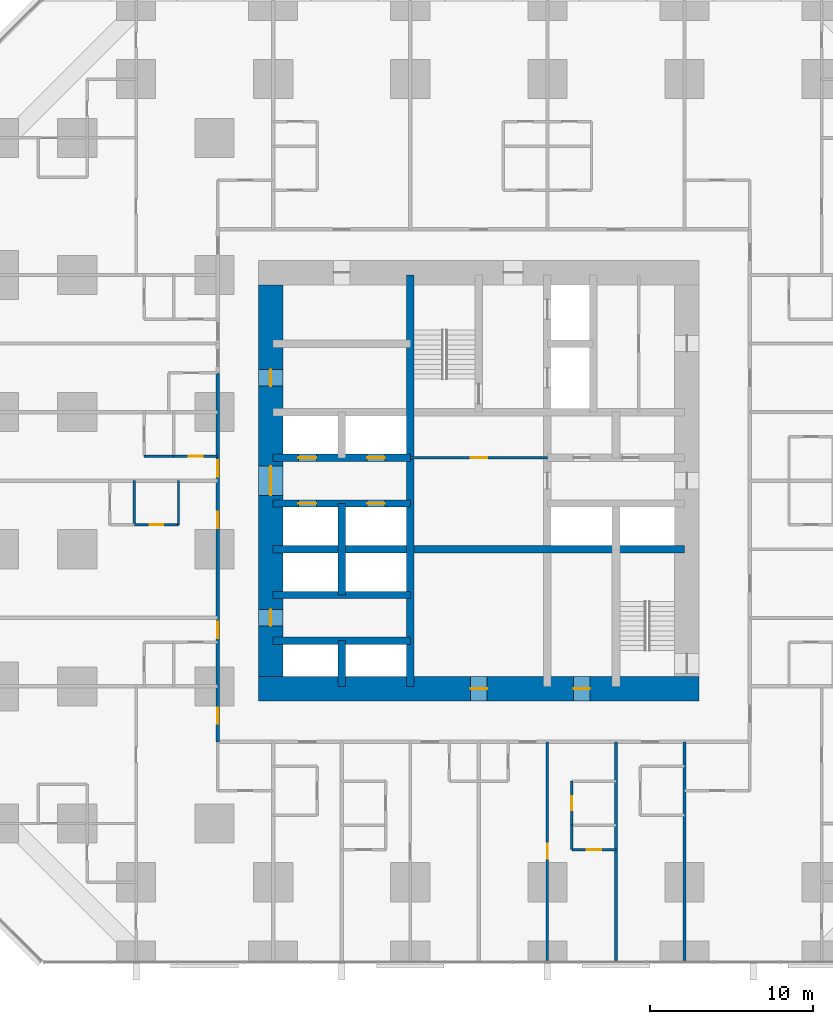
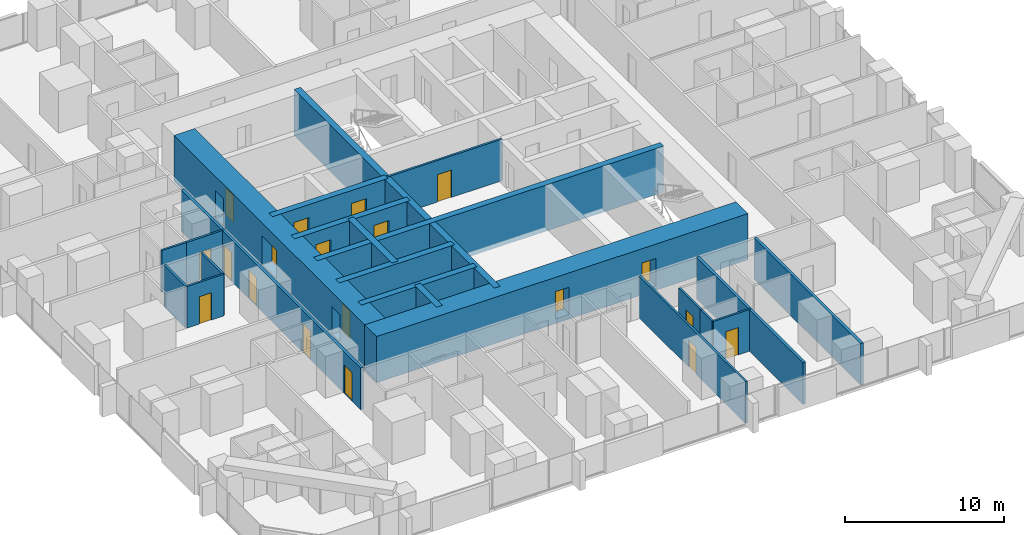
# One storey, part 11 of 16: 23 walls, 19 doors, 19 openings.
"""IFC4 building model written with IfcOpenShell, lengths in metres."""

from ifc_helpers import new_model, si_unit, direction, frame, frame_2d, origin, place, context, subcontext, project, spatial, rectangle, extrude, material, layer, layer_set, type_object, element, fill, save


model = new_model("IFC4")

# Units and contexts
model_context = context("Model", 3, precision=1e-05, world=origin(), true_north=direction((0.0, 1.0)))
body_context = subcontext(model_context, "Body", "Model", "MODEL_VIEW")
ifc_project = project(units=[si_unit("LENGTHUNIT", "METRE"), si_unit("AREAUNIT", "SQUARE_METRE"), si_unit("VOLUMEUNIT", "CUBIC_METRE"), si_unit("PLANEANGLEUNIT", "RADIAN"), si_unit("MASSUNIT", "GRAM", prefix="KILO")], contexts=[model_context])

# Site, building, storey
site_placement = place(None, origin())
site = spatial("IfcSite", under=ifc_project, at=site_placement, CompositionType="ELEMENT")
building_placement = place(site_placement, origin())
building = spatial("IfcBuilding", under=site, at=building_placement, Name="Dunama Terrace Hotel", CompositionType="ELEMENT")
storey_placement = place(building_placement, frame((0.0, 0.0, 84.60009765625)))
storey = spatial("IfcBuildingStorey", under=building, at=storey_placement, Name="L21", CompositionType="ELEMENT", Elevation=84.60009765625)

# Wall
ifc_material_1 = material(Name="Gypsum board partition", Category="masonry")
ifc_layer_1 = layer(ifc_material_1, 0.14990234375)
ifc_layer_set_1 = layer_set([ifc_layer_1], Name="Bathroom partition 150")
wall_type_1 = type_object("IfcWallType", Name="Bathroom partition 150", PredefinedType="PARTITIONING", material=ifc_layer_set_1)
wall_1_placement = place(storey_placement, frame((11.0, 26.699951171875, 0.0), z_axis=(0.0, 0.0, 1.0), x_axis=(0.0, 1.0, 0.0)))
element("IfcWall", 1, at=wall_1_placement, inside=storey, type_object=wall_type_1, Name="Bathroom partition 150 L21", PredefinedType="PARTITIONING", context=body_context, shape_type="SweptSolid", body=[
    extrude(rectangle(XDim=2.699951171875, YDim=0.14990234375, at=frame_2d((1.35009765625, 0.0))), origin(), (0.0, 0.0, 1.0), 3.199951171875),
])

# Wall, opening, door
wall_2_placement = place(storey_placement, frame((35.10009765625, 8.300048828125, 0.0), z_axis=(0.0, 0.0, 1.0), x_axis=(0.0, 1.0, 0.0)))
wall_2 = element("IfcWall", 2, at=wall_2_placement, inside=storey, type_object=wall_type_1, Name="Bathroom partition 150 L21", PredefinedType="PARTITIONING", context=body_context, shape_type="SweptSolid", body=[
    extrude(rectangle(XDim=2.699951171875, YDim=0.14990234375, at=frame_2d((1.35009765625, 0.0))), origin(), (0.0, 0.0, 1.0), 3.199951171875),
])
opening_1_placement = place(wall_2_placement, frame((0.925048828125, 0.0, 0.0)))
opening_1 = element("IfcOpeningElement", 3, at=opening_1_placement, cuts=wall_2, Name="Opening L21-019", PredefinedType="OPENING", context=body_context, shape_type="SweptSolid", body=[
    extrude(rectangle(XDim=0.85009765625, YDim=2.10009765625, at=frame_2d((0.425048828125, 1.050048828125))), frame((0.0, 0.0849609375, 0.0), z_axis=(0.0, -1.0, 0.0), x_axis=(1.0, 0.0, 0.0)), (0.0, 0.0, 1.0), 0.169921875),
])
ifc_material_2 = material(Name="Timber door with steel frame", Category="steel")
door_type_1 = type_object("IfcDoorType", Name="Bathroom door 850", OperationType="SINGLE_SWING_LEFT", PredefinedType="DOOR", material=ifc_material_2)
door_1_placement = place(opening_1_placement, frame((0.85009765625, 0.0, 0.0), z_axis=(0.0, 0.0, 1.0), x_axis=(-1.0, 0.0, 0.0)))
door_1 = element("IfcDoor", 4, at=door_1_placement, inside=storey, type_object=door_type_1, Name="Door to en-suite bathroom L21-019, type D2", OperationType="SINGLE_SWING_LEFT", OverallHeight=2.10009765625, OverallWidth=0.85009765625, PredefinedType="DOOR", context=body_context, shape_type="SweptSolid", body=[
    extrude(rectangle(XDim=0.85009765625, YDim=2.10009765625, at=frame_2d((0.425048828125, 1.050048828125))), frame((0.0, 0.025146484375, 0.0), z_axis=(0.0, -1.0, 0.0), x_axis=(1.0, 0.0, 0.0)), (0.0, 0.0, 1.0), 0.050048828125),
])
fill(opening_1, door_1)

wall_3_placement = place(storey_placement, frame((8.300048828125, 26.699951171875, 0.0), z_axis=(0.0, 0.0, 1.0), x_axis=(1.0, 0.0, 0.0)))
wall_3 = element("IfcWall", 5, at=wall_3_placement, inside=storey, type_object=wall_type_1, Name="Bathroom partition 150 L21", PredefinedType="PARTITIONING", context=body_context, shape_type="SweptSolid", body=[
    extrude(rectangle(XDim=2.699951171875, YDim=0.14990234375, at=frame_2d((1.35009765625, 0.0))), origin(), (0.0, 0.0, 1.0), 3.199951171875),
])
opening_2_placement = place(wall_3_placement, frame((0.925048828125, 0.0, 0.0)))
opening_2 = element("IfcOpeningElement", 6, at=opening_2_placement, cuts=wall_3, Name="Opening L21-050", PredefinedType="OPENING", context=body_context, shape_type="SweptSolid", body=[
    extrude(rectangle(XDim=0.85009765625, YDim=2.10009765625, at=frame_2d((0.425048828125, 1.050048828125))), frame((0.0, 0.0849609375, 0.0), z_axis=(0.0, -1.0, 0.0), x_axis=(1.0, 0.0, 0.0)), (0.0, 0.0, 1.0), 0.169921875),
])
door_2_placement = place(opening_2_placement, origin())
door_2 = element("IfcDoor", 7, at=door_2_placement, inside=storey, type_object=door_type_1, Name="Door to en-suite bathroom L21-050, type D2", OperationType="SINGLE_SWING_RIGHT", OverallHeight=2.10009765625, OverallWidth=0.85009765625, PredefinedType="DOOR", context=body_context, shape_type="SweptSolid", body=[
    extrude(rectangle(XDim=0.85009765625, YDim=2.10009765625, at=frame_2d((0.425048828125, 1.050048828125))), frame((0.0, 0.02490234375, 0.0), z_axis=(0.0, -1.0, 0.0), x_axis=(1.0, 0.0, 0.0)), (0.0, 0.0, 1.0), 0.050048828125),
])
fill(opening_2, door_2)

wall_4_placement = place(storey_placement, frame((10.699951171875, 30.89990234375, 0.0), z_axis=(0.0, 0.0, 1.0), x_axis=(1.0, 0.0, 0.0)))
wall_4 = element("IfcWall", 8, at=wall_4_placement, inside=storey, type_object=wall_type_1, Name="Bathroom partition 150 L21", PredefinedType="PARTITIONING", context=body_context, shape_type="SweptSolid", body=[
    extrude(rectangle(XDim=2.699951171875, YDim=0.14990234375, at=frame_2d((1.35009765625, 0.0))), origin(), (0.0, 0.0, 1.0), 3.199951171875),
])
opening_3_placement = place(wall_4_placement, frame((0.925048828125, 0.0, 0.0)))
opening_3 = element("IfcOpeningElement", 9, at=opening_3_placement, cuts=wall_4, Name="Opening L21-053", PredefinedType="OPENING", context=body_context, shape_type="SweptSolid", body=[
    extrude(rectangle(XDim=0.85009765625, YDim=2.10009765625, at=frame_2d((0.425048828125, 1.050048828125))), frame((0.0, 0.0849609375, 0.0), z_axis=(0.0, -1.0, 0.0), x_axis=(1.0, 0.0, 0.0)), (0.0, 0.0, 1.0), 0.169921875),
])
door_3_placement = place(opening_3_placement, origin())
door_3 = element("IfcDoor", 10, at=door_3_placement, inside=storey, type_object=door_type_1, Name="Door to en-suite bathroom L21-053, type D2", OperationType="SINGLE_SWING_RIGHT", OverallHeight=2.10009765625, OverallWidth=0.85009765625, PredefinedType="DOOR", context=body_context, shape_type="SweptSolid", body=[
    extrude(rectangle(XDim=0.85009765625, YDim=2.10009765625, at=frame_2d((0.425048828125, 1.050048828125))), frame((0.0, 0.02490234375, 0.0), z_axis=(0.0, -1.0, 0.0), x_axis=(1.0, 0.0, 0.0)), (0.0, 0.0, 1.0), 0.050048828125),
])
fill(opening_3, door_3)

# Walls
ifc_material_3 = material(Name="Concrete C50/60", Category="concrete")
ifc_layer_2 = layer(ifc_material_3, 0.449951171875)
ifc_layer_set_2 = layer_set([ifc_layer_2], Name="Core inner wall 450")
wall_type_2 = type_object("IfcWallType", Name="Core inner wall 450", PredefinedType="SHEAR", material=ifc_layer_set_2)
wall_5_placement = place(storey_placement, frame((21.0, 16.800048828125, -0.35009765625), z_axis=(0.0, 0.0, 1.0), x_axis=(0.0, 1.0, 0.0)))
element("IfcWall", 11, at=wall_5_placement, inside=storey, type_object=wall_type_2, Name="Core inner wall 450 L21", PredefinedType="SHEAR", context=body_context, shape_type="SweptSolid", body=[
    extrude(rectangle(XDim=2.800048828125, YDim=0.449951171875, at=frame_2d((1.39990234375, 0.0))), origin(), (0.0, 0.0, 1.0), 3.550048828125),
])
wall_6_placement = place(storey_placement, frame((21.0, 22.39990234375, -0.35009765625), z_axis=(0.0, 0.0, 1.0), x_axis=(0.0, 1.0, 0.0)))
element("IfcWall", 12, at=wall_6_placement, inside=storey, type_object=wall_type_2, Name="Core inner wall 450 L21", PredefinedType="SHEAR", context=body_context, shape_type="SweptSolid", body=[
    extrude(rectangle(XDim=5.60009765625, YDim=0.449951171875, at=frame_2d((2.800048828125, 0.0))), origin(), (0.0, 0.0, 1.0), 3.550048828125),
])
wall_7_placement = place(storey_placement, frame((25.199951171875, 16.800048828125, -0.35009765625), z_axis=(0.0, 0.0, 1.0), x_axis=(0.0, 1.0, 0.0)))
element("IfcWall", 13, at=wall_7_placement, inside=storey, type_object=wall_type_2, Name="Core inner wall 450 L21", PredefinedType="SHEAR", context=body_context, shape_type="SweptSolid", body=[
    extrude(rectangle(XDim=25.199951171875, YDim=0.449951171875, at=frame_2d((12.60009765625, 0.0))), origin(), (0.0, 0.0, 1.0), 3.550048828125),
])
for number, where, z_axis, x_axis, name in (
    (14, (16.800048828125, 19.60009765625, -0.35009765625), (0.0, 0.0, 1.0), (1.0, 0.0, 0.0), "Core inner wall 450 L21"),
    (15, (16.800048828125, 22.39990234375, -0.35009765625), (0.0, 0.0, 1.0), (1.0, 0.0, 0.0), "Core inner wall 450 L21"),
):
    element("IfcWall", number, at=place(storey_placement, frame(where, z_axis=z_axis, x_axis=x_axis)), inside=storey, type_object=wall_type_2, Name=name, PredefinedType="SHEAR", context=body_context, shape_type="SweptSolid", body=[
        extrude(rectangle(XDim=8.39990234375, YDim=0.449951171875, at=frame_2d((4.199951171875, 0.0))), origin(), (0.0, 0.0, 1.0), 3.550048828125),
    ])
wall_8_placement = place(storey_placement, frame((16.800048828125, 25.199951171875, -0.35009765625), z_axis=(0.0, 0.0, 1.0), x_axis=(1.0, 0.0, 0.0)))
element("IfcWall", 16, at=wall_8_placement, inside=storey, type_object=wall_type_2, Name="Core inner wall 450 L21", PredefinedType="SHEAR", context=body_context, shape_type="SweptSolid", body=[
    extrude(rectangle(XDim=25.199951171875, YDim=0.449951171875, at=frame_2d((12.60009765625, 0.0))), origin(), (0.0, 0.0, 1.0), 3.550048828125),
])

# Wall, openings, doors
wall_9_placement = place(storey_placement, frame((16.800048828125, 28.0, -0.35009765625), z_axis=(0.0, 0.0, 1.0), x_axis=(1.0, 0.0, 0.0)))
wall_9 = element("IfcWall", 17, at=wall_9_placement, inside=storey, type_object=wall_type_2, Name="Core inner wall 450 L21", PredefinedType="SHEAR", context=body_context, shape_type="SweptSolid", body=[
    extrude(rectangle(XDim=8.39990234375, YDim=0.449951171875, at=frame_2d((4.199951171875, 0.0))), origin(), (0.0, 0.0, 1.0), 3.550048828125),
])
opening_4_placement = place(wall_9_placement, frame((1.550048828125, 0.0, 0.35009765625)))
opening_4 = element("IfcOpeningElement", 18, at=opening_4_placement, cuts=wall_9, Name="Opening L21-003", PredefinedType="OPENING", context=body_context, shape_type="SweptSolid", body=[
    extrude(rectangle(XDim=1.10009765625, YDim=2.199951171875, at=frame_2d((0.550048828125, 1.10009765625))), frame((0.0, 0.23486328125, 0.0), z_axis=(0.0, -1.0, 0.0), x_axis=(1.0, 0.0, 0.0)), (0.0, 0.0, 1.0), 0.469970703125),
])
opening_5_placement = place(wall_9_placement, frame((5.75, 0.0, 0.35009765625)))
opening_5 = element("IfcOpeningElement", 19, at=opening_5_placement, cuts=wall_9, Name="Opening L21-004", PredefinedType="OPENING", context=body_context, shape_type="SweptSolid", body=[
    extrude(rectangle(XDim=1.10009765625, YDim=2.199951171875, at=frame_2d((0.550048828125, 1.10009765625))), frame((0.0, 0.23486328125, 0.0), z_axis=(0.0, -1.0, 0.0), x_axis=(1.0, 0.0, 0.0)), (0.0, 0.0, 1.0), 0.469970703125),
])
ifc_material_4 = material(Name="Stainless steel lift door", Category="steel")
door_type_2 = type_object("IfcDoorType", Name="Lift landing door 1100", OperationType="DOUBLE_DOOR_SLIDING", PredefinedType="DOOR", material=ifc_material_4)
door_4_placement = place(opening_4_placement, origin())
door_4 = element("IfcDoor", 20, at=door_4_placement, inside=storey, type_object=door_type_2, Name="Landing door PA1 L21-003, type LD1", OperationType="DOUBLE_DOOR_SLIDING", OverallHeight=2.199951171875, OverallWidth=1.10009765625, PredefinedType="DOOR", context=body_context, shape_type="SweptSolid", body=[
    extrude(rectangle(XDim=1.10009765625, YDim=2.199951171875, at=frame_2d((0.550048828125, 1.10009765625))), frame((0.0, 0.02490234375, 0.0), z_axis=(0.0, -1.0, 0.0), x_axis=(1.0, 0.0, 0.0)), (0.0, 0.0, 1.0), 0.050048828125),
])
fill(opening_4, door_4)
door_5_placement = place(opening_5_placement, origin())
door_5 = element("IfcDoor", 21, at=door_5_placement, inside=storey, type_object=door_type_2, Name="Landing door PA2 L21-004, type LD1", OperationType="DOUBLE_DOOR_SLIDING", OverallHeight=2.199951171875, OverallWidth=1.10009765625, PredefinedType="DOOR", context=body_context, shape_type="SweptSolid", body=[
    extrude(rectangle(XDim=1.10009765625, YDim=2.199951171875, at=frame_2d((0.550048828125, 1.10009765625))), frame((0.0, 0.02490234375, 0.0), z_axis=(0.0, -1.0, 0.0), x_axis=(1.0, 0.0, 0.0)), (0.0, 0.0, 1.0), 0.050048828125),
])
fill(opening_5, door_5)

wall_10_placement = place(storey_placement, frame((16.800048828125, 30.800048828125, -0.35009765625), z_axis=(0.0, 0.0, 1.0), x_axis=(1.0, 0.0, 0.0)))
wall_10 = element("IfcWall", 22, at=wall_10_placement, inside=storey, type_object=wall_type_2, Name="Core inner wall 450 L21", PredefinedType="SHEAR", context=body_context, shape_type="SweptSolid", body=[
    extrude(rectangle(XDim=8.39990234375, YDim=0.449951171875, at=frame_2d((4.199951171875, 0.0))), origin(), (0.0, 0.0, 1.0), 3.550048828125),
])
opening_6_placement = place(wall_10_placement, frame((1.550048828125, 0.0, 0.35009765625)))
opening_6 = element("IfcOpeningElement", 23, at=opening_6_placement, cuts=wall_10, Name="Opening L21-005", PredefinedType="OPENING", context=body_context, shape_type="SweptSolid", body=[
    extrude(rectangle(XDim=1.10009765625, YDim=2.199951171875, at=frame_2d((0.550048828125, 1.10009765625))), frame((0.0, 0.23486328125, 0.0), z_axis=(0.0, -1.0, 0.0), x_axis=(1.0, 0.0, 0.0)), (0.0, 0.0, 1.0), 0.469970703125),
])
opening_7_placement = place(wall_10_placement, frame((5.75, 0.0, 0.35009765625)))
opening_7 = element("IfcOpeningElement", 24, at=opening_7_placement, cuts=wall_10, Name="Opening L21-006", PredefinedType="OPENING", context=body_context, shape_type="SweptSolid", body=[
    extrude(rectangle(XDim=1.10009765625, YDim=2.199951171875, at=frame_2d((0.550048828125, 1.10009765625))), frame((0.0, 0.23486328125, 0.0), z_axis=(0.0, -1.0, 0.0), x_axis=(1.0, 0.0, 0.0)), (0.0, 0.0, 1.0), 0.469970703125),
])
door_6_placement = place(opening_6_placement, origin())
door_6 = element("IfcDoor", 25, at=door_6_placement, inside=storey, type_object=door_type_2, Name="Landing door PA3 L21-005, type LD1", OperationType="DOUBLE_DOOR_SLIDING", OverallHeight=2.199951171875, OverallWidth=1.10009765625, PredefinedType="DOOR", context=body_context, shape_type="SweptSolid", body=[
    extrude(rectangle(XDim=1.10009765625, YDim=2.199951171875, at=frame_2d((0.550048828125, 1.10009765625))), frame((0.0, 0.02490234375, 0.0), z_axis=(0.0, -1.0, 0.0), x_axis=(1.0, 0.0, 0.0)), (0.0, 0.0, 1.0), 0.050048828125),
])
fill(opening_6, door_6)
door_7_placement = place(opening_7_placement, origin())
door_7 = element("IfcDoor", 26, at=door_7_placement, inside=storey, type_object=door_type_2, Name="Landing door PA4 L21-006, type LD1", OperationType="DOUBLE_DOOR_SLIDING", OverallHeight=2.199951171875, OverallWidth=1.10009765625, PredefinedType="DOOR", context=body_context, shape_type="SweptSolid", body=[
    extrude(rectangle(XDim=1.10009765625, YDim=2.199951171875, at=frame_2d((0.550048828125, 1.10009765625))), frame((0.0, 0.02490234375, 0.0), z_axis=(0.0, -1.0, 0.0), x_axis=(1.0, 0.0, 0.0)), (0.0, 0.0, 1.0), 0.050048828125),
])
fill(opening_7, door_7)

ifc_material_5 = material(Name="Concrete C60/75", Category="concrete")
ifc_layer_3 = layer(ifc_material_5, 1.5)
ifc_layer_set_3 = layer_set([ifc_layer_3], Name="Core wall 1500")
wall_type_3 = type_object("IfcWallType", Name="Core wall 1500", PredefinedType="SHEAR", material=ifc_layer_set_3)
wall_11_placement = place(storey_placement, frame((15.89990234375, 16.64990234375, -0.35009765625), z_axis=(0.0, 0.0, 1.0), x_axis=(1.0, 0.0, 0.0)))
wall_11 = element("IfcWall", 27, at=wall_11_placement, inside=storey, type_object=wall_type_3, Name="Core wall south L21", PredefinedType="SHEAR", context=body_context, shape_type="SweptSolid", body=[
    extrude(rectangle(XDim=27.0, YDim=1.5, at=frame_2d((13.5, 0.0))), origin(), (0.0, 0.0, 1.0), 3.550048828125),
])
opening_8_placement = place(wall_11_placement, frame((13.0, 0.0, 0.35009765625)))
opening_8 = element("IfcOpeningElement", 28, at=opening_8_placement, cuts=wall_11, Name="Opening L21-096", PredefinedType="OPENING", context=body_context, shape_type="SweptSolid", body=[
    extrude(rectangle(XDim=1.0, YDim=2.10009765625, at=frame_2d((0.5, 1.050048828125))), frame((0.0, 0.760009765625, 0.0), z_axis=(0.0, -1.0, 0.0), x_axis=(1.0, 0.0, 0.0)), (0.0, 0.0, 1.0), 1.52001953125),
])
opening_9_placement = place(wall_11_placement, frame((19.300048828125, 0.0, 0.35009765625)))
opening_9 = element("IfcOpeningElement", 29, at=opening_9_placement, cuts=wall_11, Name="Opening L21-097", PredefinedType="OPENING", context=body_context, shape_type="SweptSolid", body=[
    extrude(rectangle(XDim=1.0, YDim=2.10009765625, at=frame_2d((0.5, 1.050048828125))), frame((0.0, 0.760009765625, 0.0), z_axis=(0.0, -1.0, 0.0), x_axis=(1.0, 0.0, 0.0)), (0.0, 0.0, 1.0), 1.52001953125),
])
ifc_material_6 = material(Name="Timber door with steel frame", Category="steel")
door_type_3 = type_object("IfcDoorType", Name="Service door 1000", OperationType="SINGLE_SWING_LEFT", PredefinedType="DOOR", material=ifc_material_6)
door_8_placement = place(opening_8_placement, origin())
door_8 = element("IfcDoor", 30, at=door_8_placement, inside=storey, type_object=door_type_3, Name="Door to corridor air handling room L21-096, type D7", OperationType="SINGLE_SWING_LEFT", OverallHeight=2.10009765625, OverallWidth=1.0, PredefinedType="DOOR", context=body_context, shape_type="SweptSolid", body=[
    extrude(rectangle(XDim=1.0, YDim=2.10009765625, at=frame_2d((0.5, 1.050048828125))), frame((0.0, 0.02490234375, 0.0), z_axis=(0.0, -1.0, 0.0), x_axis=(1.0, 0.0, 0.0)), (0.0, 0.0, 1.0), 0.050048828125),
])
fill(opening_8, door_8)
door_9_placement = place(opening_9_placement, origin())
door_9 = element("IfcDoor", 31, at=door_9_placement, inside=storey, type_object=door_type_3, Name="Door to water riser room L21-097, type D7", OperationType="SINGLE_SWING_RIGHT", OverallHeight=2.10009765625, OverallWidth=1.0, PredefinedType="DOOR", context=body_context, shape_type="SweptSolid", body=[
    extrude(rectangle(XDim=1.0, YDim=2.10009765625, at=frame_2d((0.5, 1.050048828125))), frame((0.0, 0.02490234375, 0.0), z_axis=(0.0, -1.0, 0.0), x_axis=(1.0, 0.0, 0.0)), (0.0, 0.0, 1.0), 0.050048828125),
])
fill(opening_9, door_9)

wall_12_placement = place(storey_placement, frame((16.64990234375, 41.39990234375, -0.35009765625), z_axis=(0.0, 0.0, 1.0), x_axis=(0.0, -1.0, 0.0)))
wall_12 = element("IfcWall", 32, at=wall_12_placement, inside=storey, type_object=wall_type_3, Name="Core wall west L21", PredefinedType="SHEAR", context=body_context, shape_type="SweptSolid", body=[
    extrude(rectangle(XDim=24.0, YDim=1.5, at=frame_2d((12.0, 0.0))), origin(), (0.0, 0.0, 1.0), 3.550048828125),
])
opening_10_placement = place(wall_12_placement, frame((11.10009765625, 0.0, 0.35009765625)))
opening_10 = element("IfcOpeningElement", 33, at=opening_10_placement, cuts=wall_12, Name="Opening L21-084", PredefinedType="OPENING", context=body_context, shape_type="SweptSolid", body=[
    extrude(rectangle(XDim=1.800048828125, YDim=2.199951171875, at=frame_2d((0.89990234375, 1.10009765625))), frame((0.0, 0.760009765625, 0.0), z_axis=(0.0, -1.0, 0.0), x_axis=(1.0, 0.0, 0.0)), (0.0, 0.0, 1.0), 1.52001953125),
])
opening_11_placement = place(wall_12_placement, frame((19.89990234375, 0.0, 0.35009765625)))
opening_11 = element("IfcOpeningElement", 34, at=opening_11_placement, cuts=wall_12, Name="Opening L21-085", PredefinedType="OPENING", context=body_context, shape_type="SweptSolid", body=[
    extrude(rectangle(XDim=1.0, YDim=2.10009765625, at=frame_2d((0.5, 1.050048828125))), frame((0.0, 0.760009765625, 0.0), z_axis=(0.0, -1.0, 0.0), x_axis=(1.0, 0.0, 0.0)), (0.0, 0.0, 1.0), 1.52001953125),
])
opening_12_placement = place(wall_12_placement, frame((5.199951171875, 0.0, 0.35009765625)))
opening_12 = element("IfcOpeningElement", 35, at=opening_12_placement, cuts=wall_12, Name="Opening L21-086", PredefinedType="OPENING", context=body_context, shape_type="SweptSolid", body=[
    extrude(rectangle(XDim=1.0, YDim=2.10009765625, at=frame_2d((0.5, 1.050048828125))), frame((0.0, 0.760009765625, 0.0), z_axis=(0.0, -1.0, 0.0), x_axis=(1.0, 0.0, 0.0)), (0.0, 0.0, 1.0), 1.52001953125),
])
ifc_material_7 = material(Name="Timber door with steel frame", Category="steel")
door_type_4 = type_object("IfcDoorType", Name="Lift lobby double door 1800", OperationType="DOUBLE_DOOR_DOUBLE_SWING", PredefinedType="DOOR", material=ifc_material_7)
door_10_placement = place(opening_10_placement, origin())
door_10 = element("IfcDoor", 36, at=door_10_placement, inside=storey, type_object=door_type_4, Name="Door to lift lobby L21-084, type D3", OperationType="DOUBLE_DOOR_DOUBLE_SWING", OverallHeight=2.199951171875, OverallWidth=1.800048828125, PredefinedType="DOOR", context=body_context, shape_type="SweptSolid", body=[
    extrude(rectangle(XDim=1.800048828125, YDim=2.199951171875, at=frame_2d((0.89990234375, 1.10009765625))), frame((0.0, 0.02490234375, 0.0), z_axis=(0.0, -1.0, 0.0), x_axis=(1.0, 0.0, 0.0)), (0.0, 0.0, 1.0), 0.050048828125),
])
fill(opening_10, door_10)
door_11_placement = place(opening_11_placement, origin())
door_11 = element("IfcDoor", 37, at=door_11_placement, inside=storey, type_object=door_type_3, Name="Door to service lobby L21-085, type D7", OperationType="SINGLE_SWING_LEFT", OverallHeight=2.10009765625, OverallWidth=1.0, PredefinedType="DOOR", context=body_context, shape_type="SweptSolid", body=[
    extrude(rectangle(XDim=1.0, YDim=2.10009765625, at=frame_2d((0.5, 1.050048828125))), frame((0.0, 0.02490234375, 0.0), z_axis=(0.0, -1.0, 0.0), x_axis=(1.0, 0.0, 0.0)), (0.0, 0.0, 1.0), 0.050048828125),
])
fill(opening_11, door_11)
door_12_placement = place(opening_12_placement, origin())
door_12 = element("IfcDoor", 38, at=door_12_placement, inside=storey, type_object=door_type_3, Name="Door to electrical room L21-086, type D7", OperationType="SINGLE_SWING_RIGHT", OverallHeight=2.10009765625, OverallWidth=1.0, PredefinedType="DOOR", context=body_context, shape_type="SweptSolid", body=[
    extrude(rectangle(XDim=1.0, YDim=2.10009765625, at=frame_2d((0.5, 1.050048828125))), frame((0.0, 0.02490234375, 0.0), z_axis=(0.0, -1.0, 0.0), x_axis=(1.0, 0.0, 0.0)), (0.0, 0.0, 1.0), 0.050048828125),
])
fill(opening_12, door_12)

ifc_material_8 = material(Name="Concrete blockwork", Category="masonry")
ifc_layer_4 = layer(ifc_material_8, 0.199951171875)
ifc_layer_set_4 = layer_set([ifc_layer_4], Name="Corridor partition 200")
wall_type_4 = type_object("IfcWallType", Name="Corridor partition 200", PredefinedType="PARTITIONING", material=ifc_layer_set_4)
wall_13_placement = place(storey_placement, frame((13.39990234375, 13.39990234375, 0.0), z_axis=(0.0, 0.0, 1.0), x_axis=(0.0, 1.0, 0.0)))
wall_13 = element("IfcWall", 39, at=wall_13_placement, inside=storey, type_object=wall_type_4, Name="Corridor partition 200 L21", PredefinedType="PARTITIONING", context=body_context, shape_type="SweptSolid", body=[
    extrude(rectangle(XDim=22.60009765625, YDim=0.199951171875, at=frame_2d((11.300048828125, 0.0))), origin(), (0.0, 0.0, 1.0), 3.199951171875),
])
opening_13_placement = place(wall_13_placement, frame((6.35009765625, 0.0, 0.0)))
opening_13 = element("IfcOpeningElement", 40, at=opening_13_placement, cuts=wall_13, Name="Opening L21-046", PredefinedType="OPENING", context=body_context, shape_type="SweptSolid", body=[
    extrude(rectangle(XDim=1.0, YDim=2.199951171875, at=frame_2d((0.5, 1.10009765625))), frame((0.0, 0.10986328125, 0.0), z_axis=(0.0, -1.0, 0.0), x_axis=(1.0, 0.0, 0.0)), (0.0, 0.0, 1.0), 0.219970703125),
])
opening_14_placement = place(wall_13_placement, frame((13.10009765625, 0.0, 0.0)))
opening_14 = element("IfcOpeningElement", 41, at=opening_14_placement, cuts=wall_13, Name="Opening L21-049", PredefinedType="OPENING", context=body_context, shape_type="SweptSolid", body=[
    extrude(rectangle(XDim=1.0, YDim=2.199951171875, at=frame_2d((0.5, 1.10009765625))), frame((0.0, 0.10986328125, 0.0), z_axis=(0.0, -1.0, 0.0), x_axis=(1.0, 0.0, 0.0)), (0.0, 0.0, 1.0), 0.219970703125),
])
opening_15_placement = place(wall_13_placement, frame((16.25, 0.0, 0.0)))
opening_15 = element("IfcOpeningElement", 42, at=opening_15_placement, cuts=wall_13, Name="Opening L21-052", PredefinedType="OPENING", context=body_context, shape_type="SweptSolid", body=[
    extrude(rectangle(XDim=1.0, YDim=2.199951171875, at=frame_2d((0.5, 1.10009765625))), frame((0.0, 0.10986328125, 0.0), z_axis=(0.0, -1.0, 0.0), x_axis=(1.0, 0.0, 0.0)), (0.0, 0.0, 1.0), 0.219970703125),
])
opening_16_placement = place(wall_13_placement, frame((1.10009765625, 0.0, 0.0)))
opening_16 = element("IfcOpeningElement", 43, at=opening_16_placement, cuts=wall_13, Name="Opening L21-060", PredefinedType="OPENING", context=body_context, shape_type="SweptSolid", body=[
    extrude(rectangle(XDim=1.0, YDim=2.199951171875, at=frame_2d((0.5, 1.10009765625))), frame((0.0, 0.10986328125, 0.0), z_axis=(0.0, -1.0, 0.0), x_axis=(1.0, 0.0, 0.0)), (0.0, 0.0, 1.0), 0.219970703125),
])
ifc_material_9 = material(Name="Timber door with steel frame", Category="steel")
door_type_5 = type_object("IfcDoorType", Name="Guest room door 1000", OperationType="SINGLE_SWING_LEFT", PredefinedType="DOOR", material=ifc_material_9)
door_13_placement = place(opening_13_placement, origin())
door_13 = element("IfcDoor", 44, at=door_13_placement, inside=storey, type_object=door_type_5, Name="Door to deluxe room L21-046, type D1", OperationType="SINGLE_SWING_RIGHT", OverallHeight=2.199951171875, OverallWidth=1.0, PredefinedType="DOOR", context=body_context, shape_type="SweptSolid", body=[
    extrude(rectangle(XDim=1.0, YDim=2.199951171875, at=frame_2d((0.5, 1.10009765625))), frame((0.0, 0.02490234375, 0.0), z_axis=(0.0, -1.0, 0.0), x_axis=(1.0, 0.0, 0.0)), (0.0, 0.0, 1.0), 0.050048828125),
])
fill(opening_13, door_13)
door_14_placement = place(opening_14_placement, origin())
door_14 = element("IfcDoor", 45, at=door_14_placement, inside=storey, type_object=door_type_5, Name="Door to junior suite L21-049, type D1", OperationType="SINGLE_SWING_LEFT", OverallHeight=2.199951171875, OverallWidth=1.0, PredefinedType="DOOR", context=body_context, shape_type="SweptSolid", body=[
    extrude(rectangle(XDim=1.0, YDim=2.199951171875, at=frame_2d((0.5, 1.10009765625))), frame((0.0, 0.02490234375, 0.0), z_axis=(0.0, -1.0, 0.0), x_axis=(1.0, 0.0, 0.0)), (0.0, 0.0, 1.0), 0.050048828125),
])
fill(opening_14, door_14)
door_15_placement = place(opening_15_placement, origin())
door_15 = element("IfcDoor", 46, at=door_15_placement, inside=storey, type_object=door_type_5, Name="Door to deluxe room L21-052, type D1", OperationType="SINGLE_SWING_LEFT", OverallHeight=2.199951171875, OverallWidth=1.0, PredefinedType="DOOR", context=body_context, shape_type="SweptSolid", body=[
    extrude(rectangle(XDim=1.0, YDim=2.199951171875, at=frame_2d((0.5, 1.10009765625))), frame((0.0, 0.02490234375, 0.0), z_axis=(0.0, -1.0, 0.0), x_axis=(1.0, 0.0, 0.0)), (0.0, 0.0, 1.0), 0.050048828125),
])
fill(opening_15, door_15)
door_16_placement = place(opening_16_placement, origin())
door_16 = element("IfcDoor", 47, at=door_16_placement, inside=storey, type_object=door_type_5, Name="Door to corner suite living room L21-060, type D1", OperationType="SINGLE_SWING_RIGHT", OverallHeight=2.199951171875, OverallWidth=1.0, PredefinedType="DOOR", context=body_context, shape_type="SweptSolid", body=[
    extrude(rectangle(XDim=1.0, YDim=2.199951171875, at=frame_2d((0.5, 1.10009765625))), frame((0.0, 0.02490234375, 0.0), z_axis=(0.0, -1.0, 0.0), x_axis=(1.0, 0.0, 0.0)), (0.0, 0.0, 1.0), 0.050048828125),
])
fill(opening_16, door_16)

# Walls
ifc_material_10 = material(Name="Concrete blockwork", Category="masonry")
ifc_layer_5 = layer(ifc_material_10, 0.199951171875)
ifc_layer_set_5 = layer_set([ifc_layer_5], Name="Party wall 200")
wall_type_5 = type_object("IfcWallType", Name="Party wall 200", PredefinedType="PARTITIONING", material=ifc_layer_set_5)
for number, where, z_axis, x_axis, name in (
    (48, (37.800048828125, -0.008056640625, 0.0), (0.0, 0.0, 1.0), (0.0, 1.0, 0.0), "Party wall 200 L21"),
    (49, (42.0, -0.008056640625, 0.0), (0.0, 0.0, 1.0), (0.0, 1.0, 0.0), "Party wall 200 L21"),
):
    element("IfcWall", number, at=place(storey_placement, frame(where, z_axis=z_axis, x_axis=x_axis)), inside=storey, type_object=wall_type_5, Name=name, PredefinedType="PARTITIONING", context=body_context, shape_type="SweptSolid", body=[
        extrude(rectangle(XDim=13.407958984375, YDim=0.199951171875, at=frame_2d((6.7041015625, 0.0))), origin(), (0.0, 0.0, 1.0), 3.199951171875),
    ])
ifc_material_11 = material(Name="Gypsum board partition", Category="masonry")
ifc_layer_6 = layer(ifc_material_11, 0.14990234375)
ifc_layer_set_6 = layer_set([ifc_layer_6], Name="Room partition 150")
wall_type_6 = type_object("IfcWallType", Name="Room partition 150", PredefinedType="PARTITIONING", material=ifc_layer_set_6)
wall_14_placement = place(storey_placement, frame((8.300048828125, 26.699951171875, 0.0), z_axis=(0.0, 0.0, 1.0), x_axis=(0.0, 1.0, 0.0)))
element("IfcWall", 50, at=wall_14_placement, inside=storey, type_object=wall_type_6, Name="Room partition 150 L21", PredefinedType="PARTITIONING", context=body_context, shape_type="SweptSolid", body=[
    extrude(rectangle(XDim=2.699951171875, YDim=0.14990234375, at=frame_2d((1.35009765625, 0.0))), origin(), (0.0, 0.0, 1.0), 3.199951171875),
])

# Wall, opening, door
wall_15_placement = place(storey_placement, frame((33.60009765625, -0.008056640625, 0.0), z_axis=(0.0, 0.0, 1.0), x_axis=(0.0, 1.0, 0.0)))
wall_15 = element("IfcWall", 51, at=wall_15_placement, inside=storey, type_object=wall_type_6, Name="Room partition 150 L21", PredefinedType="PARTITIONING", context=body_context, shape_type="SweptSolid", body=[
    extrude(rectangle(XDim=13.407958984375, YDim=0.14990234375, at=frame_2d((6.7041015625, 0.0))), origin(), (0.0, 0.0, 1.0), 3.199951171875),
])
opening_17_placement = place(wall_15_placement, frame((6.258056640625, 0.0, 0.0)))
opening_17 = element("IfcOpeningElement", 52, at=opening_17_placement, cuts=wall_15, Name="Opening L21-018", PredefinedType="OPENING", context=body_context, shape_type="SweptSolid", body=[
    extrude(rectangle(XDim=0.89990234375, YDim=2.10009765625, at=frame_2d((0.449951171875, 1.050048828125))), frame((0.0, 0.0849609375, 0.0), z_axis=(0.0, -1.0, 0.0), x_axis=(1.0, 0.0, 0.0)), (0.0, 0.0, 1.0), 0.169921875),
])
ifc_material_12 = material(Name="Timber door with steel frame", Category="steel")
door_type_6 = type_object("IfcDoorType", Name="Suite internal door 900", OperationType="SINGLE_SWING_LEFT", PredefinedType="DOOR", material=ifc_material_12)
door_17_placement = place(opening_17_placement, frame((0.89990234375, 0.0, 0.0), z_axis=(0.0, 0.0, 1.0), x_axis=(-1.0, 0.0, 0.0)))
door_17 = element("IfcDoor", 53, at=door_17_placement, inside=storey, type_object=door_type_6, Name="Door to executive suite bedroom L21-018, type D16", OperationType="SINGLE_SWING_RIGHT", OverallHeight=2.10009765625, OverallWidth=0.89990234375, PredefinedType="DOOR", context=body_context, shape_type="SweptSolid", body=[
    extrude(rectangle(XDim=0.89990234375, YDim=2.10009765625, at=frame_2d((0.449951171875, 1.050048828125))), frame((0.0, 0.025146484375, 0.0), z_axis=(0.0, -1.0, 0.0), x_axis=(1.0, 0.0, 0.0)), (0.0, 0.0, 1.0), 0.050048828125),
])
fill(opening_17, door_17)

# Wall
wall_16_placement = place(storey_placement, frame((35.10009765625, 6.800048828125, 0.0), z_axis=(0.0, 0.0, 1.0), x_axis=(0.0, 1.0, 0.0)))
element("IfcWall", 54, at=wall_16_placement, inside=storey, type_object=wall_type_6, Name="Room partition 150 L21", PredefinedType="PARTITIONING", context=body_context, shape_type="SweptSolid", body=[
    extrude(rectangle(XDim=1.5, YDim=0.14990234375, at=frame_2d((0.75, 0.0))), origin(), (0.0, 0.0, 1.0), 3.199951171875),
])

# Wall, opening, door
wall_17_placement = place(storey_placement, frame((35.10009765625, 6.800048828125, 0.0), z_axis=(0.0, 0.0, 1.0), x_axis=(1.0, 0.0, 0.0)))
wall_17 = element("IfcWall", 55, at=wall_17_placement, inside=storey, type_object=wall_type_6, Name="Room partition 150 L21", PredefinedType="PARTITIONING", context=body_context, shape_type="SweptSolid", body=[
    extrude(rectangle(XDim=2.699951171875, YDim=0.14990234375, at=frame_2d((1.35009765625, 0.0))), origin(), (0.0, 0.0, 1.0), 3.199951171875),
])
opening_18_placement = place(wall_17_placement, frame((0.89990234375, 0.0, 0.0)))
opening_18 = element("IfcOpeningElement", 56, at=opening_18_placement, cuts=wall_17, Name="Opening L21-020", PredefinedType="OPENING", context=body_context, shape_type="SweptSolid", body=[
    extrude(rectangle(XDim=0.89990234375, YDim=2.10009765625, at=frame_2d((0.449951171875, 1.050048828125))), frame((0.0, 0.0849609375, 0.0), z_axis=(0.0, -1.0, 0.0), x_axis=(1.0, 0.0, 0.0)), (0.0, 0.0, 1.0), 0.169921875),
])
door_18_placement = place(opening_18_placement, origin())
door_18 = element("IfcDoor", 57, at=door_18_placement, inside=storey, type_object=door_type_6, Name="Door to walk-in wardrobe L21-020, type D16", OperationType="SINGLE_SWING_LEFT", OverallHeight=2.10009765625, OverallWidth=0.89990234375, PredefinedType="DOOR", context=body_context, shape_type="SweptSolid", body=[
    extrude(rectangle(XDim=0.89990234375, YDim=2.10009765625, at=frame_2d((0.449951171875, 1.050048828125))), frame((0.0, 0.02490234375, 0.0), z_axis=(0.0, -1.0, 0.0), x_axis=(1.0, 0.0, 0.0)), (0.0, 0.0, 1.0), 0.050048828125),
])
fill(opening_18, door_18)

wall_18_placement = place(storey_placement, frame((25.199951171875, 30.800048828125, 0.0), z_axis=(0.0, 0.0, 1.0), x_axis=(1.0, 0.0, 0.0)))
wall_18 = element("IfcWall", 58, at=wall_18_placement, inside=storey, type_object=wall_type_6, Name="Room partition 150 L21", PredefinedType="PARTITIONING", context=body_context, shape_type="SweptSolid", body=[
    extrude(rectangle(XDim=8.400146484375, YDim=0.14990234375, at=frame_2d((4.2001953125, 0.0))), origin(), (0.0, 0.0, 1.0), 3.199951171875),
])
opening_19_placement = place(wall_18_placement, frame((3.699951171875, 0.0, 0.0)))
opening_19 = element("IfcOpeningElement", 59, at=opening_19_placement, cuts=wall_18, Name="Opening L21-089", PredefinedType="OPENING", context=body_context, shape_type="SweptSolid", body=[
    extrude(rectangle(XDim=1.0, YDim=2.10009765625, at=frame_2d((0.5, 1.050048828125))), frame((0.0, 0.0849609375, 0.0), z_axis=(0.0, -1.0, 0.0), x_axis=(1.0, 0.0, 0.0)), (0.0, 0.0, 1.0), 0.169921875),
])
door_19_placement = place(opening_19_placement, origin())
door_19 = element("IfcDoor", 60, at=door_19_placement, inside=storey, type_object=door_type_3, Name="Door to minibar store L21-089, type D7", OperationType="SINGLE_SWING_LEFT", OverallHeight=2.10009765625, OverallWidth=1.0, PredefinedType="DOOR", context=body_context, shape_type="SweptSolid", body=[
    extrude(rectangle(XDim=1.0, YDim=2.10009765625, at=frame_2d((0.5, 1.050048828125))), frame((0.0, 0.02490234375, 0.0), z_axis=(0.0, -1.0, 0.0), x_axis=(1.0, 0.0, 0.0)), (0.0, 0.0, 1.0), 0.050048828125),
])
fill(opening_19, door_19)

# Wall
wall_19_placement = place(storey_placement, frame((8.89990234375, 30.89990234375, 0.0), z_axis=(0.0, 0.0, 1.0), x_axis=(1.0, 0.0, 0.0)))
element("IfcWall", 61, at=wall_19_placement, inside=storey, type_object=wall_type_6, Name="Room partition 150 L21", PredefinedType="PARTITIONING", context=body_context, shape_type="SweptSolid", body=[
    extrude(rectangle(XDim=1.800048828125, YDim=0.14990234375, at=frame_2d((0.89990234375, 0.0))), origin(), (0.0, 0.0, 1.0), 3.199951171875),
])

save(model, "model.ifc")
